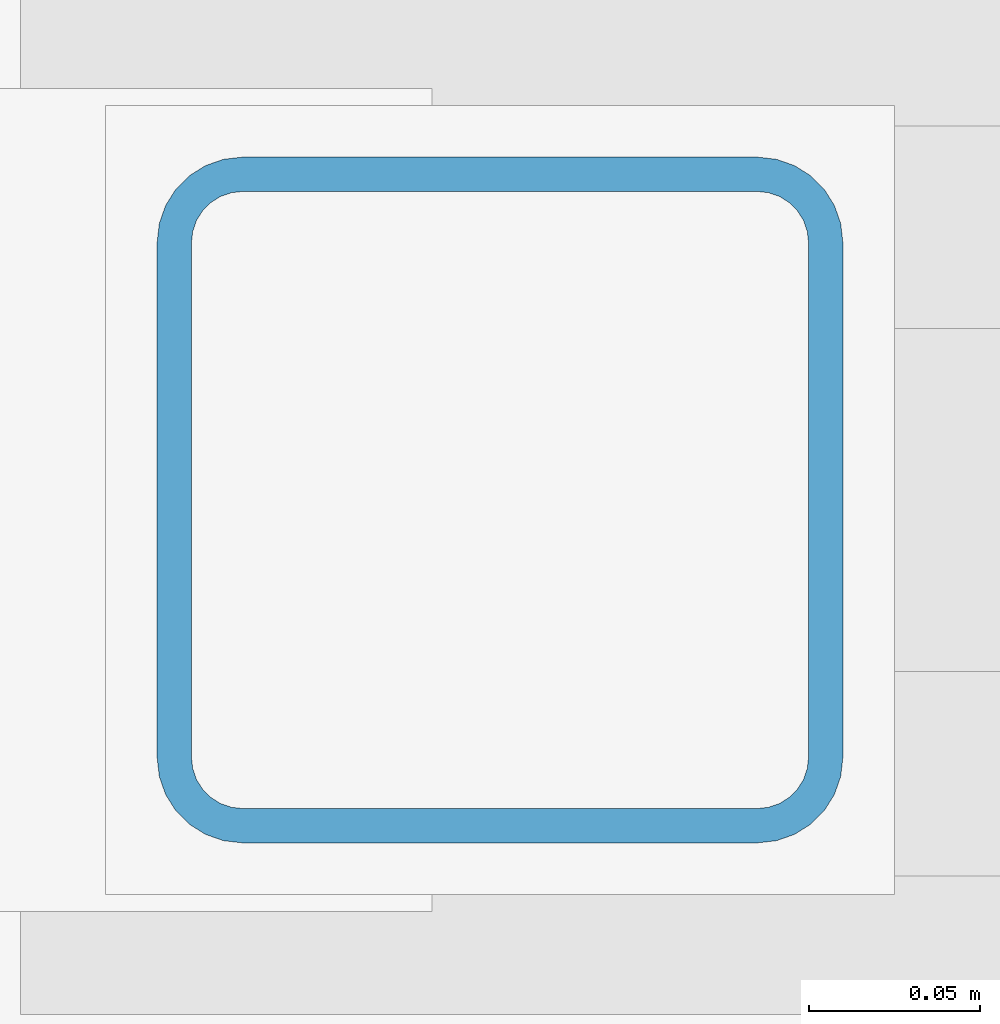
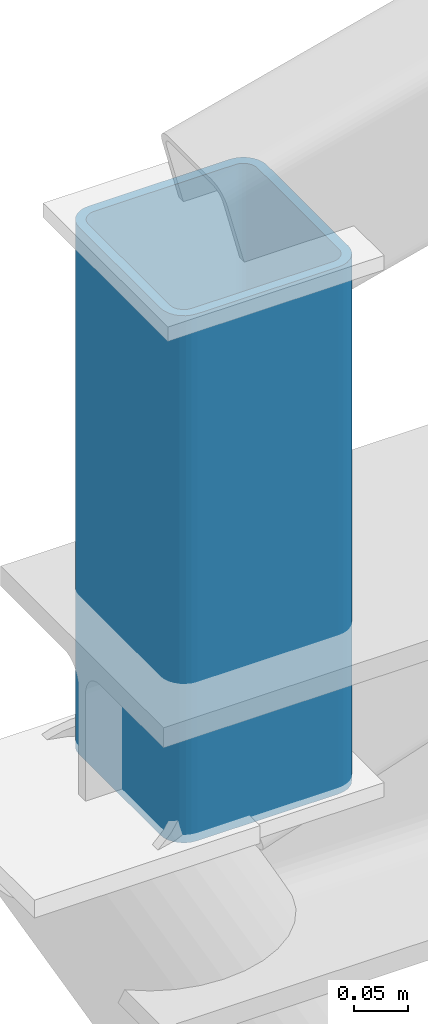
# One storey, part 40 of 56: 1 member.
"""IFC4 building model written with IfcOpenShell, lengths in metres."""

from ifc_helpers import new_model, si_unit, direction, frame, origin, origin_2d, place, context, subcontext, project, spatial, hollow_rectangle, extrude, material, material_profile, profile_set, type_object, element, save


model = new_model("IFC4")

# Units and contexts
model_context = context("Model", 3, precision=1e-05, world=origin(), true_north=direction((0.0, 1.0)))
body_context = subcontext(model_context, "Body", "Model", "MODEL_VIEW")
ifc_project = project(units=[si_unit("LENGTHUNIT", "METRE"), si_unit("AREAUNIT", "SQUARE_METRE"), si_unit("VOLUMEUNIT", "CUBIC_METRE"), si_unit("PLANEANGLEUNIT", "RADIAN"), si_unit("MASSUNIT", "GRAM", prefix="KILO")], contexts=[model_context])

# Site, building, storey
site_placement = place(None, origin())
site = spatial("IfcSite", under=ifc_project, at=site_placement, CompositionType="ELEMENT")
building_placement = place(site_placement, origin())
building = spatial("IfcBuilding", under=site, at=building_placement, Name="Bozkorgan Art Gallery", CompositionType="ELEMENT")
storey_placement = place(building_placement, frame((0.0, 0.0, 24.0)))
storey = spatial("IfcBuildingStorey", under=building, at=storey_placement, Name="L05", CompositionType="ELEMENT", Elevation=24.0)

# Member
ifc_material = material(Name="Steel S355J2", Category="steel")
ifc_material_profile = material_profile(ifc_material, hollow_rectangle(XDim=0.199951171875, YDim=0.199951171875, WallThickness=0.010009765625, InnerFilletRadius=0.014892578125, OuterFilletRadius=0.02490234375, at=origin_2d()), Name="SHS 200x200x10")
ifc_profile_set = profile_set([ifc_material_profile], Name="Steel S355J2")
member_type = type_object("IfcMemberType", Name="MEMBER-TP-32", PredefinedType="POST", material=ifc_profile_set)
member_placement = place(storey_placement, frame((66.39990234375, 56.800048828125, 0.179931640625), z_axis=(0.0, 0.0, 1.0), x_axis=(1.0, 0.0, 0.0)))
element("IfcMember", 1, at=member_placement, inside=storey, type_object=member_type, Name="ROOF-V4-MAIN roof truss 2 post 0", PredefinedType="POST", context=body_context, shape_type="SweptSolid", body=[
    extrude(hollow_rectangle(XDim=0.199951171875, YDim=0.199951171875, WallThickness=0.010009765625, InnerFilletRadius=0.014892578125, OuterFilletRadius=0.02490234375, at=origin_2d()), origin(), (0.0, 0.0, 1.0), 0.5927734375),
])

save(model, "model.ifc")
